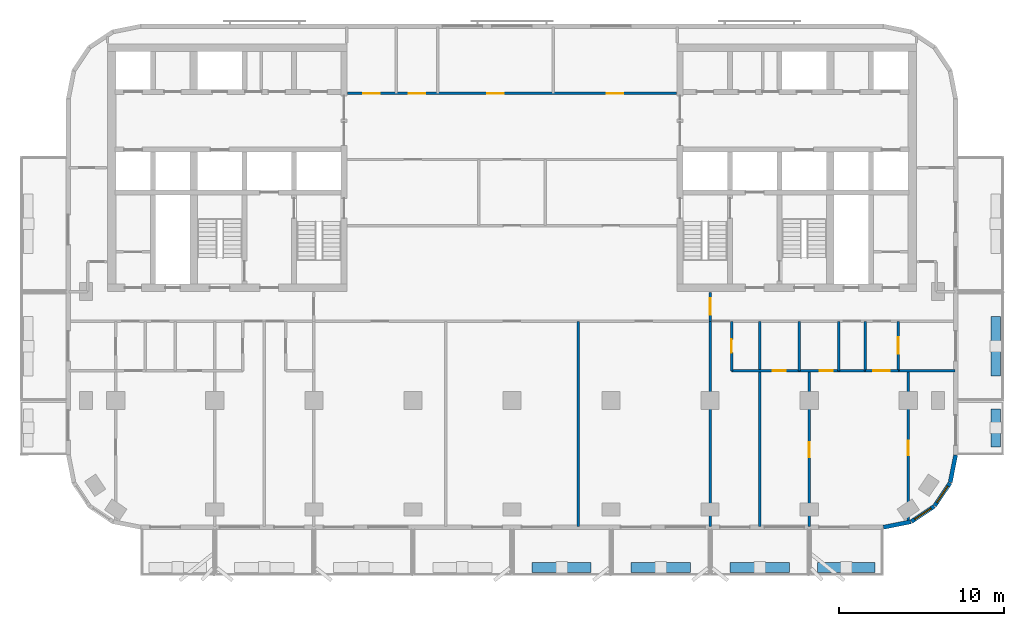
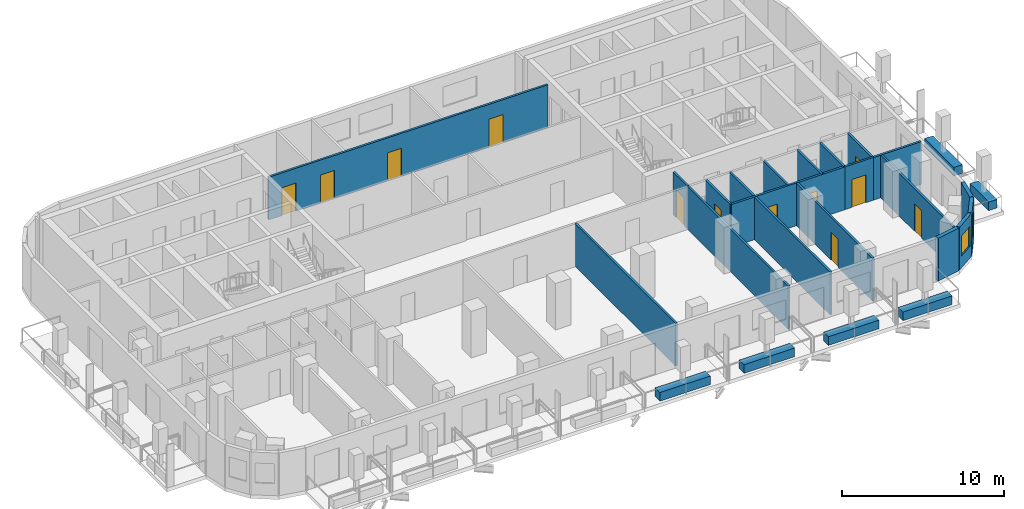
# One storey, part 5 of 11: 25 walls, 12 doors, 2 windows, 14 openings.
"""IFC4 building model written with IfcOpenShell, lengths in metres."""

import ifcopenshell
import ifcopenshell.guid

model = None  # the IFC model being written
_history = None  # IfcOwnerHistory: only IFC2X3 demands one
_inside = {}  # id of a spatial element -> (the spatial element, [elements in it])
_under = {}  # id of a project, library or spatial element -> (it, [spatial elements below it])
_declared = {}  # id of a project -> (the project, [libraries it declares])
_typed = {}  # id of a type object -> (the type object, [elements of that type])
_made_of = {}  # id of a material, layer set ... -> (it, [elements and type objects made of it])


def new_model(schema):
    """Start an empty IFC model of exactly this schema.

    Asked for "IFC4X3", IfcOpenShell would pick the latest addendum, in which some entities
    have other attributes; the version numbers below select the first issue.
    IFC2X3 requires an IfcOwnerHistory on every rooted entity: one is made here for all.
    """
    global model, _history
    if schema == "IFC4X3":
        model = ifcopenshell.file(schema_version=(4, 3, 0, 0))
    else:
        model = ifcopenshell.file(schema=schema)
    _inside.clear()
    _under.clear()
    _declared.clear()
    _typed.clear()
    _made_of.clear()
    _history = None
    if model.schema == "IFC2X3":
        org = make("IfcOrganization", Name="unknown")
        user = make(
            "IfcPersonAndOrganization",
            ThePerson=make("IfcPerson", FamilyName="unknown"),
            TheOrganization=org,
        )
        app = make(
            "IfcApplication",
            ApplicationDeveloper=org,
            Version="unknown",
            ApplicationFullName="unknown",
            ApplicationIdentifier="unknown",
        )
        _history = make(
            "IfcOwnerHistory",
            OwningUser=user,
            OwningApplication=app,
            ChangeAction="ADDED",
            CreationDate=0,
        )
    return model


def make(cls, **values):
    """One entity of the class cls with the attributes given. An attribute that is None is left unset."""
    return model.create_entity(
        cls, **{name: value for name, value in values.items() if value is not None}
    )


def rooted(cls, **values):
    """An entity with a GlobalId (a new one), such as an element, a storey or a relation."""
    return make(cls, GlobalId=ifcopenshell.guid.new(), OwnerHistory=_history, **values)


def si_unit(unit_type, name, prefix=None):
    """IfcSIUnit, for example si_unit("LENGTHUNIT", "METRE", prefix="MILLI")."""
    return make("IfcSIUnit", UnitType=unit_type, Prefix=prefix, Name=name)


def assignment(units):
    """IfcUnitAssignment: the units of a project."""
    return None if units is None else make("IfcUnitAssignment", Units=units)


def point(xyz):
    """IfcCartesianPoint."""
    return None if xyz is None else make("IfcCartesianPoint", Coordinates=xyz)


def direction(xyz):
    """IfcDirection."""
    return None if xyz is None else make("IfcDirection", DirectionRatios=xyz)


def frame(location, z_axis=None, x_axis=None):
    """IfcAxis2Placement3D, a coordinate frame: its origin and axes. An axis left out is left unset."""
    return make(
        "IfcAxis2Placement3D",
        Location=point(location),
        Axis=direction(z_axis),
        RefDirection=direction(x_axis),
    )


def frame_2d(location, x_axis=None):
    """IfcAxis2Placement2D, a coordinate frame in the plane: its origin and x axis."""
    return make(
        "IfcAxis2Placement2D", Location=point(location), RefDirection=direction(x_axis)
    )


def origin():
    """The frame at (0, 0, 0) with its axes left unset."""
    return frame((0.0, 0.0, 0.0))


def place(relative_to, where):
    """IfcLocalPlacement: puts the frame where relative to a parent placement (None: the world)."""
    return make(
        "IfcLocalPlacement", PlacementRelTo=relative_to, RelativePlacement=where
    )


def context(
    kind, dimensions, precision=None, world=None, true_north=None, identifier=None
):
    """IfcGeometricRepresentationContext, for example the 3D "Model" context."""
    return make(
        "IfcGeometricRepresentationContext",
        ContextIdentifier=identifier,
        ContextType=kind,
        CoordinateSpaceDimension=dimensions,
        Precision=precision,
        WorldCoordinateSystem=world,
        TrueNorth=true_north,
    )


def subcontext(parent, identifier, kind, view, scale=None):
    """IfcGeometricRepresentationSubContext, for example "Body" below "Model"."""
    return make(
        "IfcGeometricRepresentationSubContext",
        ContextIdentifier=identifier,
        ContextType=kind,
        ParentContext=parent,
        TargetScale=scale,
        TargetView=view,
    )


def project(units=None, contexts=None):
    """IfcProject with its units and contexts."""
    return rooted(
        "IfcProject",
        Name="project",
        RepresentationContexts=contexts,
        UnitsInContext=assignment(units),
    )


def spatial(cls, under=None, at=None, **own):
    """A site, building, storey or space (cls), placed at a placement, below another one or the project."""
    s = rooted(cls, ObjectPlacement=at, **own)
    if under is not None:
        _under.setdefault(under.id(), (under, []))[1].append(s)
    return s


def profile(cls, at=None, kind="AREA", **sizes):
    """A parametric profile (cls). Its sizes go by their IFC names, for example OverallWidth=200.0."""
    return make(cls, ProfileType=kind, Position=at, **sizes)


def rectangle(**sizes):
    """IfcRectangleProfileDef."""
    return profile("IfcRectangleProfileDef", **sizes)


def extrude(swept, where, along, depth):
    """IfcExtrudedAreaSolid: the profile swept, set in the frame where, extruded along a direction by depth."""
    return make(
        "IfcExtrudedAreaSolid",
        SweptArea=swept,
        Position=where,
        ExtrudedDirection=direction(along),
        Depth=depth,
    )


def shape(context_of_items, identifier, shape_type, items):
    """IfcShapeRepresentation: the items that make up one representation, for example the "Body"."""
    return make(
        "IfcShapeRepresentation",
        ContextOfItems=context_of_items,
        RepresentationIdentifier=identifier,
        RepresentationType=shape_type,
        Items=items,
    )


def material(Name=None, Category=None):
    """IfcMaterial."""
    return make("IfcMaterial", Name=Name, Category=Category)


def layer(
    of_material, thickness, ventilated=None, Name=None, Category=None, Priority=None
):
    """IfcMaterialLayer: one layer of a wall or slab, of a material (None: an air gap)."""
    return make(
        "IfcMaterialLayer",
        Material=of_material,
        LayerThickness=thickness,
        IsVentilated=ventilated,
        Name=Name,
        Category=Category,
        Priority=Priority,
    )


def layer_set(layers, Name=None):
    """IfcMaterialLayerSet."""
    return make("IfcMaterialLayerSet", MaterialLayers=layers, LayerSetName=Name)


def made_of(thing, what):
    """Note that an element or type object is made of a material, layer set ...; save() writes the relation."""
    if what is not None:
        _made_of.setdefault(what.id(), (what, []))[1].append(thing)
    return thing


def type_object(cls, material=None, **own):
    """A type object (cls), such as IfcWallType, which elements share."""
    return made_of(rooted(cls, **own), material)


def element(
    cls,
    number,
    at=None,
    inside=None,
    cuts=None,
    type_object=None,
    material=None,
    context=None,
    identifier="Body",
    shape_type=None,
    held_by="IfcProductDefinitionShape",
    body=None,
    shapes=None,
    **own,
):
    """One element of the class cls, such as IfcWall. Its Tag is "e" and its number.

    at: its placement. inside: the storey or other place that contains it. cuts: it is an
    opening in that element (IfcRelVoidsElement). A single representation is given by context,
    identifier, shape_type and body (its items); several are given by shapes. held_by: the class
    of the entity that holds the representations. save() writes the other relations.
    """
    e = rooted(cls, Tag="e%d" % number, ObjectPlacement=at, **own)
    if body is not None:
        shapes = [shape(context, identifier, shape_type, body)]
    if shapes is not None:
        e.Representation = make(held_by, Representations=shapes)
    if inside is not None:
        _inside.setdefault(inside.id(), (inside, []))[1].append(e)
    if cuts is not None:
        rooted(
            "IfcRelVoidsElement", RelatingBuildingElement=cuts, RelatedOpeningElement=e
        )
    if type_object is not None:
        _typed.setdefault(type_object.id(), (type_object, []))[1].append(e)
    return made_of(e, material)


def fill(opening, filler):
    """IfcRelFillsElement: the door or window that sits in an opening."""
    return rooted(
        "IfcRelFillsElement",
        RelatingOpeningElement=opening,
        RelatedBuildingElement=filler,
    )


def aggregate(whole, parts):
    """IfcRelAggregates: a whole, such as a stair, and the parts it consists of."""
    return rooted("IfcRelAggregates", RelatingObject=whole, RelatedObjects=parts)


def save(model, path):
    """Write the relations noted so far, then the file.

    IfcRelAggregates (storeys below a building ...), IfcRelContainedInSpatialStructure (elements
    in a storey), IfcRelDefinesByType, IfcRelAssociatesMaterial and IfcRelDeclares: one each for
    every whole, place, type object, material and project.
    """
    for whole, parts in _under.values():
        aggregate(whole, parts)
    for where, things in _inside.values():
        rooted(
            "IfcRelContainedInSpatialStructure",
            RelatedElements=things,
            RelatingStructure=where,
        )
    for kind, things in _typed.values():
        rooted("IfcRelDefinesByType", RelatedObjects=things, RelatingType=kind)
    for what, things in _made_of.values():
        rooted("IfcRelAssociatesMaterial", RelatedObjects=things, RelatingMaterial=what)
    for by, libraries in _declared.values():
        rooted("IfcRelDeclares", RelatingContext=by, RelatedDefinitions=libraries)
    model.write(path)


model = new_model("IFC4")

# Units and contexts
model_context = context("Model", 3, precision=1e-05, world=origin(), true_north=direction((0.0, 1.0)))
body_context = subcontext(model_context, "Body", "Model", "MODEL_VIEW")
ifc_project = project(units=[si_unit("LENGTHUNIT", "METRE"), si_unit("AREAUNIT", "SQUARE_METRE"), si_unit("VOLUMEUNIT", "CUBIC_METRE"), si_unit("PLANEANGLEUNIT", "RADIAN"), si_unit("MASSUNIT", "GRAM", prefix="KILO")], contexts=[model_context])

# Site, building, storey
site_placement = place(None, origin())
site = spatial("IfcSite", under=ifc_project, at=site_placement, CompositionType="ELEMENT")
building_placement = place(site_placement, origin())
building = spatial("IfcBuilding", under=site, at=building_placement, Name="Torana Hotel and Residences", CompositionType="ELEMENT")
storey_placement = place(building_placement, frame((0.0, 0.0, 183.60009765625)))
storey = spatial("IfcBuildingStorey", under=building, at=storey_placement, Name="L47", CompositionType="ELEMENT", Elevation=183.60009765625)

# Wall
ifc_material_1 = material(Name="Black aluminium composite panel", Category="aluminium")
ifc_layer_1 = layer(ifc_material_1, 0.00390625, Name="Cladding", Category="cladding")
ifc_material_2 = material(Name="Ventilated air cavity")
ifc_layer_2 = layer(ifc_material_2, 0.0400390625, Name="Ventilated cavity", Category="cavity")
ifc_material_3 = material(Name="Mineral wool insulation")
ifc_layer_3 = layer(ifc_material_3, 0.090087890625, Name="Insulation", Category="insulation")
ifc_material_4 = material(Name="Steel S280GD", Category="steel")
ifc_layer_4 = layer(ifc_material_4, 0.092041015625, Name="Steel stud frame", Category="structure")
ifc_material_5 = material(Name="Fire rated plasterboard")
ifc_layer_5 = layer(ifc_material_5, 0.011962890625, Name="Inner board", Category="finish")
ifc_layer_6 = layer(ifc_material_5, 0.011962890625, Name="Second board", Category="finish")
ifc_layer_set_1 = layer_set([ifc_layer_1, ifc_layer_2, ifc_layer_3, ifc_layer_4, ifc_layer_5, ifc_layer_6], Name="EW1 EXTERNAL WALL BLACK METAL CLAD 250")
wall_type_1 = type_object("IfcWallType", Name="EW1 EXTERNAL WALL BLACK METAL CLAD 250", PredefinedType="SOLIDWALL", material=ifc_layer_set_1)
wall_1_placement = place(storey_placement, frame((22.499755859375, -29.272705078125, 0.0), z_axis=(0.0, 0.0, 1.0), x_axis=(0.980775640221, 0.19513878023, 0.0)))
element("IfcWall", 1, at=wall_1_placement, inside=storey, type_object=wall_type_1, Name="External wall L47 e0.15", PredefinedType="SOLIDWALL", context=body_context, shape_type="SweptSolid", body=[
    extrude(rectangle(XDim=1.681396484375, YDim=0.25, at=frame_2d((0.8408203125, 0.0))), origin(), (0.0, 0.0, 1.0), 3.219970703125),
])

# Wall, opening, window
wall_2_placement = place(storey_placement, frame((24.194091796875, -28.92578125, 0.0), z_axis=(0.0, 0.0, 1.0), x_axis=(0.831482937015, 0.55555029066, 0.0)))
wall_2 = element("IfcWall", 2, at=wall_2_placement, inside=storey, type_object=wall_type_1, Name="External wall L47 e0.16", PredefinedType="SOLIDWALL", context=body_context, shape_type="SweptSolid", body=[
    extrude(rectangle(XDim=1.65625, YDim=0.25, at=frame_2d((0.828125, 0.0))), origin(), (0.0, 0.0, 1.0), 3.219970703125),
])
opening_1_placement = place(wall_2_placement, frame((0.228271484375, 0.0, 0.89990234375)))
opening_1 = element("IfcOpeningElement", 3, at=opening_1_placement, cuts=wall_2, Name="Opening W5", PredefinedType="OPENING", context=body_context, shape_type="SweptSolid", body=[
    extrude(rectangle(XDim=1.199951171875, YDim=1.5, at=frame_2d((0.60009765625, 0.75))), frame((0.0, 0.135009765625, 0.0), z_axis=(0.0, -1.0, 0.0), x_axis=(1.0, 0.0, 0.0)), (0.0, 0.0, 1.0), 0.27001953125),
])
ifc_material_6 = material(Name="Dark glass in black aluminium frame", Category="aluminium")
window_type = type_object("IfcWindowType", Name="W5 CORNER FACET WINDOW 1200x1500", PartitioningType="SINGLE_PANEL", PredefinedType="WINDOW", material=ifc_material_6)
window_1_placement = place(opening_1_placement, origin())
window_1 = element("IfcWindow", 4, at=window_1_placement, inside=storey, type_object=window_type, Name="Window L47 e0.16", OverallHeight=1.5, OverallWidth=1.199951171875, PartitioningType="SINGLE_PANEL", PredefinedType="WINDOW", context=body_context, shape_type="SweptSolid", body=[
    extrude(rectangle(XDim=1.199951171875, YDim=1.5, at=frame_2d((0.60009765625, 0.75))), frame((0.0, 0.030029296875, 0.0), z_axis=(0.0, -1.0, 0.0), x_axis=(1.0, 0.0, 0.0)), (0.0, 0.0, 1.0), 0.06005859375),
])
fill(opening_1, window_1)

wall_3_placement = place(storey_placement, frame((25.605712890625, -27.97119140625, 0.0), z_axis=(0.0, 0.0, 1.0), x_axis=(0.55555029066, 0.831482937015, 0.0)))
wall_3 = element("IfcWall", 5, at=wall_3_placement, inside=storey, type_object=wall_type_1, Name="External wall L47 e0.17", PredefinedType="SOLIDWALL", context=body_context, shape_type="SweptSolid", body=[
    extrude(rectangle(XDim=1.65625, YDim=0.25, at=frame_2d((0.828125, 0.0))), origin(), (0.0, 0.0, 1.0), 3.219970703125),
])
opening_2_placement = place(wall_3_placement, frame((0.228271484375, 0.0, 0.89990234375)))
opening_2 = element("IfcOpeningElement", 6, at=opening_2_placement, cuts=wall_3, Name="Opening W5", PredefinedType="OPENING", context=body_context, shape_type="SweptSolid", body=[
    extrude(rectangle(XDim=1.199951171875, YDim=1.5, at=frame_2d((0.60009765625, 0.75))), frame((0.0, 0.135009765625, 0.0), z_axis=(0.0, -1.0, 0.0), x_axis=(1.0, 0.0, 0.0)), (0.0, 0.0, 1.0), 0.27001953125),
])
window_2_placement = place(opening_2_placement, origin())
window_2 = element("IfcWindow", 7, at=window_2_placement, inside=storey, type_object=window_type, Name="Window L47 e0.17", OverallHeight=1.5, OverallWidth=1.199951171875, PartitioningType="SINGLE_PANEL", PredefinedType="WINDOW", context=body_context, shape_type="SweptSolid", body=[
    extrude(rectangle(XDim=1.199951171875, YDim=1.5, at=frame_2d((0.60009765625, 0.75))), frame((0.0, 0.030029296875, 0.0), z_axis=(0.0, -1.0, 0.0), x_axis=(1.0, 0.0, 0.0)), (0.0, 0.0, 1.0), 0.06005859375),
])
fill(opening_2, window_2)

# Wall
wall_4_placement = place(storey_placement, frame((26.544677734375, -26.548828125, 0.0), z_axis=(0.0, 0.0, 1.0), x_axis=(0.195026884138, 0.980797896849, 0.0)))
element("IfcWall", 8, at=wall_4_placement, inside=storey, type_object=wall_type_1, Name="External wall L47 e0.18", PredefinedType="SOLIDWALL", context=body_context, shape_type="SweptSolid", body=[
    extrude(rectangle(XDim=1.68115234375, YDim=0.25, at=frame_2d((0.840576171875, 0.0))), origin(), (0.0, 0.0, 1.0), 3.219970703125),
])

# Wall, opening, door
ifc_material_7 = material(Name="Gypsum plaster")
ifc_layer_7 = layer(ifc_material_7, 0.014892578125, Name="Plaster", Category="finish")
ifc_material_8 = material(Name="Concrete blockwork", Category="masonry")
ifc_layer_8 = layer(ifc_material_8, 0.1201171875, Name="Blockwork", Category="structure")
ifc_layer_9 = layer(ifc_material_7, 0.014892578125, Name="Plaster", Category="finish")
ifc_layer_set_2 = layer_set([ifc_layer_7, ifc_layer_8, ifc_layer_9], Name="FIRE PARTITION 150 BLOCKWORK")
wall_type_2 = type_object("IfcWallType", Name="FIRE PARTITION 150 BLOCKWORK", PredefinedType="PARTITIONING", material=ifc_layer_set_2)
wall_5_placement = place(storey_placement, frame((23.39990234375, -19.800048828125, 0.0), z_axis=(0.0, 0.0, 1.0), x_axis=(0.0, 1.0, 0.0)))
wall_5 = element("IfcWall", 9, at=wall_5_placement, inside=storey, type_object=wall_type_2, Name="Partition L47", PredefinedType="PARTITIONING", context=body_context, shape_type="SweptSolid", body=[
    extrude(rectangle(XDim=3.0, YDim=0.14990234375, at=frame_2d((1.5, 0.0))), origin(), (0.0, 0.0, 1.0), 3.219970703125),
])
opening_3_placement = place(wall_5_placement, frame((1.02001953125, 0.0, 0.0)))
opening_3 = element("IfcOpeningElement", 10, at=opening_3_placement, cuts=wall_5, Name="Opening L47-62", PredefinedType="OPENING", context=body_context, shape_type="SweptSolid", body=[
    extrude(rectangle(XDim=1.0, YDim=2.10009765625, at=frame_2d((0.5, 1.050048828125))), frame((0.0, 0.0849609375, 0.0), z_axis=(0.0, -1.0, 0.0), x_axis=(1.0, 0.0, 0.0)), (0.0, 0.0, 1.0), 0.169921875),
])
ifc_material_9 = material(Name="Steel S235", Category="steel")
door_type_1 = type_object("IfcDoorType", Name="ENTRY FIRE DOOR D6 1000x2100", OperationType="SINGLE_SWING_LEFT", PredefinedType="DOOR", material=ifc_material_9)
door_1_placement = place(opening_3_placement, frame((0.5, 0.0, 0.0), z_axis=(0.0, 0.0, 1.0), x_axis=(-1.0, 0.0, 0.0)))
door_1 = element("IfcDoor", 11, at=door_1_placement, inside=storey, type_object=door_type_1, Name="Door L47", OperationType="SINGLE_SWING_LEFT", OverallHeight=2.10009765625, OverallWidth=1.0, PredefinedType="DOOR", context=body_context, shape_type="SweptSolid", body=[
    extrude(rectangle(XDim=1.0, YDim=2.10009765625, at=frame_2d((0.0, 1.050048828125))), frame((0.0, -0.02490234375, 0.0), z_axis=(0.0, 1.0, 0.0), x_axis=(-1.0, 0.0, 0.0)), (0.0, 0.0, 1.0), 0.050048828125),
])
fill(opening_3, door_1)

# Wall
wall_6_placement = place(storey_placement, frame((21.39990234375, -19.800048828125, 0.0), z_axis=(0.0, 0.0, 1.0), x_axis=(0.0, 1.0, 0.0)))
element("IfcWall", 12, at=wall_6_placement, inside=storey, type_object=wall_type_2, Name="Partition L47", PredefinedType="PARTITIONING", context=body_context, shape_type="SweptSolid", body=[
    extrude(rectangle(XDim=3.0, YDim=0.14990234375, at=frame_2d((1.5, 0.0))), origin(), (0.0, 0.0, 1.0), 3.219970703125),
])

# Wall, opening, door
wall_7_placement = place(storey_placement, frame((12.0, -16.800048828125, 0.0), z_axis=(0.0, 0.0, 1.0), x_axis=(0.0, 1.0, 0.0)))
wall_7 = element("IfcWall", 13, at=wall_7_placement, inside=storey, type_object=wall_type_2, Name="Partition L47", PredefinedType="PARTITIONING", context=body_context, shape_type="SweptSolid", body=[
    extrude(rectangle(XDim=1.75, YDim=0.14990234375, at=frame_2d((0.875, 0.0))), origin(), (0.0, 0.0, 1.0), 3.219970703125),
])
opening_4_placement = place(wall_7_placement, frame((0.39990234375, 0.0, 0.0)))
opening_4 = element("IfcOpeningElement", 14, at=opening_4_placement, cuts=wall_7, Name="Opening L47-37", PredefinedType="OPENING", context=body_context, shape_type="SweptSolid", body=[
    extrude(rectangle(XDim=1.0, YDim=2.10009765625, at=frame_2d((0.5, 1.050048828125))), frame((0.0, 0.0849609375, 0.0), z_axis=(0.0, -1.0, 0.0), x_axis=(1.0, 0.0, 0.0)), (0.0, 0.0, 1.0), 0.169921875),
])
door_2_placement = place(opening_4_placement, origin())
door_2 = element("IfcDoor", 15, at=door_2_placement, inside=storey, type_object=door_type_1, Name="Door L47", OperationType="SINGLE_SWING_RIGHT", OverallHeight=2.10009765625, OverallWidth=1.0, PredefinedType="DOOR", context=body_context, shape_type="SweptSolid", body=[
    extrude(rectangle(XDim=1.0, YDim=2.10009765625, at=frame_2d((0.5, 1.050048828125))), frame((0.0, 0.02490234375, 0.0), z_axis=(0.0, -1.0, 0.0), x_axis=(1.0, 0.0, 0.0)), (0.0, 0.0, 1.0), 0.050048828125),
])
fill(opening_4, door_2)

wall_8_placement = place(storey_placement, frame((21.39990234375, -19.800048828125, 0.0), z_axis=(0.0, 0.0, 1.0), x_axis=(1.0, 0.0, 0.0)))
wall_8 = element("IfcWall", 16, at=wall_8_placement, inside=storey, type_object=wall_type_2, Name="Partition L47", PredefinedType="PARTITIONING", context=body_context, shape_type="SweptSolid", body=[
    extrude(rectangle(XDim=2.0, YDim=0.14990234375, at=frame_2d((1.0, 0.0))), origin(), (0.0, 0.0, 1.0), 3.219970703125),
])
opening_5_placement = place(wall_8_placement, frame((0.47998046875, 0.0, 0.0)))
opening_5 = element("IfcOpeningElement", 17, at=opening_5_placement, cuts=wall_8, Name="Opening L47-63", PredefinedType="OPENING", context=body_context, shape_type="SweptSolid", body=[
    extrude(rectangle(XDim=1.0, YDim=2.10009765625, at=frame_2d((0.5, 1.050048828125))), frame((0.0, 0.0849609375, 0.0), z_axis=(0.0, -1.0, 0.0), x_axis=(1.0, 0.0, 0.0)), (0.0, 0.0, 1.0), 0.169921875),
])
door_3_placement = place(opening_5_placement, frame((0.5, 0.0, 0.0), z_axis=(0.0, 0.0, 1.0), x_axis=(-1.0, 0.0, 0.0)))
door_3 = element("IfcDoor", 18, at=door_3_placement, inside=storey, type_object=door_type_1, Name="Door L47", OperationType="SINGLE_SWING_RIGHT", OverallHeight=2.10009765625, OverallWidth=1.0, PredefinedType="DOOR", context=body_context, shape_type="SweptSolid", body=[
    extrude(rectangle(XDim=1.0, YDim=2.10009765625, at=frame_2d((0.0, 1.050048828125))), frame((0.0, -0.02490234375, 0.0), z_axis=(0.0, 1.0, 0.0), x_axis=(-1.0, 0.0, 0.0)), (0.0, 0.0, 1.0), 0.050048828125),
])
fill(opening_5, door_3)

# Wall, openings, doors
wall_9_placement = place(storey_placement, frame((-9.949951171875, -3.0, 0.0), z_axis=(0.0, 0.0, 1.0), x_axis=(1.0, 0.0, 0.0)))
wall_9 = element("IfcWall", 19, at=wall_9_placement, inside=storey, type_object=wall_type_2, Name="Partition L47", PredefinedType="PARTITIONING", context=body_context, shape_type="SweptSolid", body=[
    extrude(rectangle(XDim=19.89990234375, YDim=0.14990234375, at=frame_2d((9.949951171875, 0.0))), origin(), (0.0, 0.0, 1.0), 3.219970703125),
])
opening_6_placement = place(wall_9_placement, frame((0.949951171875, 0.0, 0.0)))
opening_6 = element("IfcOpeningElement", 20, at=opening_6_placement, cuts=wall_9, Name="Opening L47-49", PredefinedType="OPENING", context=body_context, shape_type="SweptSolid", body=[
    extrude(rectangle(XDim=1.0, YDim=2.10009765625, at=frame_2d((0.5, 1.050048828125))), frame((0.0, 0.0849609375, 0.0), z_axis=(0.0, -1.0, 0.0), x_axis=(1.0, 0.0, 0.0)), (0.0, 0.0, 1.0), 0.169921875),
])
opening_7_placement = place(wall_9_placement, frame((3.699951171875, 0.0, 0.0)))
opening_7 = element("IfcOpeningElement", 21, at=opening_7_placement, cuts=wall_9, Name="Opening L47-50", PredefinedType="OPENING", context=body_context, shape_type="SweptSolid", body=[
    extrude(rectangle(XDim=1.0, YDim=2.10009765625, at=frame_2d((0.5, 1.050048828125))), frame((0.0, 0.0849609375, 0.0), z_axis=(0.0, -1.0, 0.0), x_axis=(1.0, 0.0, 0.0)), (0.0, 0.0, 1.0), 0.169921875),
])
opening_8_placement = place(wall_9_placement, frame((8.449951171875, 0.0, 0.0)))
opening_8 = element("IfcOpeningElement", 22, at=opening_8_placement, cuts=wall_9, Name="Opening L47-51", PredefinedType="OPENING", context=body_context, shape_type="SweptSolid", body=[
    extrude(rectangle(XDim=1.0, YDim=2.10009765625, at=frame_2d((0.5, 1.050048828125))), frame((0.0, 0.0849609375, 0.0), z_axis=(0.0, -1.0, 0.0), x_axis=(1.0, 0.0, 0.0)), (0.0, 0.0, 1.0), 0.169921875),
])
opening_9_placement = place(wall_9_placement, frame((15.699951171875, 0.0, 0.0)))
opening_9 = element("IfcOpeningElement", 23, at=opening_9_placement, cuts=wall_9, Name="Opening L47-52", PredefinedType="OPENING", context=body_context, shape_type="SweptSolid", body=[
    extrude(rectangle(XDim=1.0, YDim=2.10009765625, at=frame_2d((0.5, 1.050048828125))), frame((0.0, 0.0849609375, 0.0), z_axis=(0.0, -1.0, 0.0), x_axis=(1.0, 0.0, 0.0)), (0.0, 0.0, 1.0), 0.169921875),
])
door_4_placement = place(opening_6_placement, origin())
door_4 = element("IfcDoor", 24, at=door_4_placement, inside=storey, type_object=door_type_1, Name="Door L47", OperationType="SINGLE_SWING_RIGHT", OverallHeight=2.10009765625, OverallWidth=1.0, PredefinedType="DOOR", context=body_context, shape_type="SweptSolid", body=[
    extrude(rectangle(XDim=1.0, YDim=2.10009765625, at=frame_2d((0.5, 1.050048828125))), frame((0.0, 0.02490234375, 0.0), z_axis=(0.0, -1.0, 0.0), x_axis=(1.0, 0.0, 0.0)), (0.0, 0.0, 1.0), 0.050048828125),
])
fill(opening_6, door_4)
door_5_placement = place(opening_7_placement, origin())
door_5 = element("IfcDoor", 25, at=door_5_placement, inside=storey, type_object=door_type_1, Name="Door L47", OperationType="SINGLE_SWING_RIGHT", OverallHeight=2.10009765625, OverallWidth=1.0, PredefinedType="DOOR", context=body_context, shape_type="SweptSolid", body=[
    extrude(rectangle(XDim=1.0, YDim=2.10009765625, at=frame_2d((0.5, 1.050048828125))), frame((0.0, 0.02490234375, 0.0), z_axis=(0.0, -1.0, 0.0), x_axis=(1.0, 0.0, 0.0)), (0.0, 0.0, 1.0), 0.050048828125),
])
fill(opening_7, door_5)
door_6_placement = place(opening_8_placement, origin())
door_6 = element("IfcDoor", 26, at=door_6_placement, inside=storey, type_object=door_type_1, Name="Door L47", OperationType="SINGLE_SWING_RIGHT", OverallHeight=2.10009765625, OverallWidth=1.0, PredefinedType="DOOR", context=body_context, shape_type="SweptSolid", body=[
    extrude(rectangle(XDim=1.0, YDim=2.10009765625, at=frame_2d((0.5, 1.050048828125))), frame((0.0, 0.02490234375, 0.0), z_axis=(0.0, -1.0, 0.0), x_axis=(1.0, 0.0, 0.0)), (0.0, 0.0, 1.0), 0.050048828125),
])
fill(opening_8, door_6)
door_7_placement = place(opening_9_placement, origin())
door_7 = element("IfcDoor", 27, at=door_7_placement, inside=storey, type_object=door_type_1, Name="Door L47", OperationType="SINGLE_SWING_RIGHT", OverallHeight=2.10009765625, OverallWidth=1.0, PredefinedType="DOOR", context=body_context, shape_type="SweptSolid", body=[
    extrude(rectangle(XDim=1.0, YDim=2.10009765625, at=frame_2d((0.5, 1.050048828125))), frame((0.0, 0.02490234375, 0.0), z_axis=(0.0, -1.0, 0.0), x_axis=(1.0, 0.0, 0.0)), (0.0, 0.0, 1.0), 0.050048828125),
])
fill(opening_9, door_7)

# Wall, opening, door
ifc_material_10 = material(Name="Gypsum plasterboard")
ifc_layer_10 = layer(ifc_material_10, 0.012451171875, Name="Plasterboard", Category="finish")
ifc_layer_11 = layer(ifc_material_10, 0.012451171875, Name="Plasterboard", Category="finish")
ifc_layer_12 = layer(ifc_material_4, 0.10009765625, Name="Steel studs with mineral wool", Category="insulation")
ifc_layer_13 = layer(ifc_material_10, 0.012451171875, Name="Plasterboard", Category="finish")
ifc_layer_14 = layer(ifc_material_10, 0.012451171875, Name="Plasterboard", Category="finish")
ifc_layer_set_3 = layer_set([ifc_layer_10, ifc_layer_11, ifc_layer_12, ifc_layer_13, ifc_layer_14], Name="PARTITION 150 PLASTERBOARD")
wall_type_3 = type_object("IfcWallType", Name="PARTITION 150 PLASTERBOARD", PredefinedType="PARTITIONING", material=ifc_layer_set_3)
wall_10_placement = place(storey_placement, frame((24.0, -28.918212890625, 0.0), z_axis=(0.0, 0.0, 1.0), x_axis=(0.0, 1.0, 0.0)))
wall_10 = element("IfcWall", 28, at=wall_10_placement, inside=storey, type_object=wall_type_3, Name="Partition L47", PredefinedType="PARTITIONING", context=body_context, shape_type="SweptSolid", body=[
    extrude(rectangle(XDim=9.1181640625, YDim=0.14990234375, at=frame_2d((4.55908203125, 0.0))), origin(), (0.0, 0.0, 1.0), 3.219970703125),
])
opening_10_placement = place(wall_10_placement, frame((3.998046875, 0.0, 0.0)))
opening_10 = element("IfcOpeningElement", 29, at=opening_10_placement, cuts=wall_10, Name="Opening L47-65", PredefinedType="OPENING", context=body_context, shape_type="SweptSolid", body=[
    extrude(rectangle(XDim=0.89990234375, YDim=2.10009765625, at=frame_2d((0.449951171875, 1.050048828125))), frame((0.0, 0.0849609375, 0.0), z_axis=(0.0, -1.0, 0.0), x_axis=(1.0, 0.0, 0.0)), (0.0, 0.0, 1.0), 0.169921875),
])
ifc_material_11 = material(Name="Timber door, oiled ash", Category="wood")
door_type_2 = type_object("IfcDoorType", Name="ROOM DOOR D7 900x2100", OperationType="SINGLE_SWING_LEFT", PredefinedType="DOOR", material=ifc_material_11)
door_8_placement = place(opening_10_placement, origin())
door_8 = element("IfcDoor", 30, at=door_8_placement, inside=storey, type_object=door_type_2, Name="Door L47", OperationType="SINGLE_SWING_RIGHT", OverallHeight=2.10009765625, OverallWidth=0.89990234375, PredefinedType="DOOR", context=body_context, shape_type="SweptSolid", body=[
    extrude(rectangle(XDim=0.89990234375, YDim=2.10009765625, at=frame_2d((0.449951171875, 1.050048828125))), frame((0.0, 0.02490234375, 0.0), z_axis=(0.0, -1.0, 0.0), x_axis=(1.0, 0.0, 0.0)), (0.0, 0.0, 1.0), 0.050048828125),
])
fill(opening_10, door_8)

# Wall
wall_11_placement = place(storey_placement, frame((19.800048828125, -19.800048828125, 0.0), z_axis=(0.0, 0.0, 1.0), x_axis=(0.0, 1.0, 0.0)))
element("IfcWall", 31, at=wall_11_placement, inside=storey, type_object=wall_type_3, Name="Partition L47", PredefinedType="PARTITIONING", context=body_context, shape_type="SweptSolid", body=[
    extrude(rectangle(XDim=3.0, YDim=0.14990234375, at=frame_2d((1.5, 0.0))), origin(), (0.0, 0.0, 1.0), 3.219970703125),
])

# Wall, opening, door
wall_12_placement = place(storey_placement, frame((18.0, -29.219970703125, 0.0), z_axis=(0.0, 0.0, 1.0), x_axis=(0.0, 1.0, 0.0)))
wall_12 = element("IfcWall", 32, at=wall_12_placement, inside=storey, type_object=wall_type_3, Name="Partition L47", PredefinedType="PARTITIONING", context=body_context, shape_type="SweptSolid", body=[
    extrude(rectangle(XDim=9.419921875, YDim=0.14990234375, at=frame_2d((4.7099609375, 0.0))), origin(), (0.0, 0.0, 1.0), 3.219970703125),
])
opening_11_placement = place(wall_12_placement, frame((4.18994140625, 0.0, 0.0)))
opening_11 = element("IfcOpeningElement", 33, at=opening_11_placement, cuts=wall_12, Name="Opening L47-64", PredefinedType="OPENING", context=body_context, shape_type="SweptSolid", body=[
    extrude(rectangle(XDim=0.89990234375, YDim=2.10009765625, at=frame_2d((0.449951171875, 1.050048828125))), frame((0.0, 0.0849609375, 0.0), z_axis=(0.0, -1.0, 0.0), x_axis=(1.0, 0.0, 0.0)), (0.0, 0.0, 1.0), 0.169921875),
])
door_9_placement = place(opening_11_placement, origin())
door_9 = element("IfcDoor", 34, at=door_9_placement, inside=storey, type_object=door_type_2, Name="Door L47", OperationType="SINGLE_SWING_RIGHT", OverallHeight=2.10009765625, OverallWidth=0.89990234375, PredefinedType="DOOR", context=body_context, shape_type="SweptSolid", body=[
    extrude(rectangle(XDim=0.89990234375, YDim=2.10009765625, at=frame_2d((0.449951171875, 1.050048828125))), frame((0.0, 0.02490234375, 0.0), z_axis=(0.0, -1.0, 0.0), x_axis=(1.0, 0.0, 0.0)), (0.0, 0.0, 1.0), 0.050048828125),
])
fill(opening_11, door_9)

# Walls
wall_13_placement = place(storey_placement, frame((17.39990234375, -19.800048828125, 0.0), z_axis=(0.0, 0.0, 1.0), x_axis=(0.0, 1.0, 0.0)))
element("IfcWall", 35, at=wall_13_placement, inside=storey, type_object=wall_type_3, Name="Partition L47", PredefinedType="PARTITIONING", context=body_context, shape_type="SweptSolid", body=[
    extrude(rectangle(XDim=3.0, YDim=0.14990234375, at=frame_2d((1.5, 0.0))), origin(), (0.0, 0.0, 1.0), 3.219970703125),
])
wall_14_placement = place(storey_placement, frame((15.0, -29.219970703125, 0.0), z_axis=(0.0, 0.0, 1.0), x_axis=(0.0, 1.0, 0.0)))
element("IfcWall", 36, at=wall_14_placement, inside=storey, type_object=wall_type_3, Name="Partition L47", PredefinedType="PARTITIONING", context=body_context, shape_type="SweptSolid", body=[
    extrude(rectangle(XDim=12.419921875, YDim=0.14990234375, at=frame_2d((6.2099609375, 0.0))), origin(), (0.0, 0.0, 1.0), 3.219970703125),
])

# Wall, opening, door
wall_15_placement = place(storey_placement, frame((13.300048828125, -19.800048828125, 0.0), z_axis=(0.0, 0.0, 1.0), x_axis=(0.0, 1.0, 0.0)))
wall_15 = element("IfcWall", 37, at=wall_15_placement, inside=storey, type_object=wall_type_3, Name="Partition L47", PredefinedType="PARTITIONING", context=body_context, shape_type="SweptSolid", body=[
    extrude(rectangle(XDim=3.0, YDim=0.14990234375, at=frame_2d((1.5, 0.0))), origin(), (0.0, 0.0, 1.0), 3.219970703125),
])
opening_12_placement = place(wall_15_placement, frame((1.10009765625, 0.0, 0.0)))
opening_12 = element("IfcOpeningElement", 38, at=opening_12_placement, cuts=wall_15, Name="Opening L47-55", PredefinedType="OPENING", context=body_context, shape_type="SweptSolid", body=[
    extrude(rectangle(XDim=0.800048828125, YDim=2.10009765625, at=frame_2d((0.39990234375, 1.050048828125))), frame((0.0, 0.0849609375, 0.0), z_axis=(0.0, -1.0, 0.0), x_axis=(1.0, 0.0, 0.0)), (0.0, 0.0, 1.0), 0.169921875),
])
ifc_material_12 = material(Name="Timber door, painted", Category="wood")
door_type_3 = type_object("IfcDoorType", Name="BATH DOOR D13 800x2100", OperationType="SINGLE_SWING_LEFT", PredefinedType="DOOR", material=ifc_material_12)
door_10_placement = place(opening_12_placement, origin())
door_10 = element("IfcDoor", 39, at=door_10_placement, inside=storey, type_object=door_type_3, Name="Door L47", OperationType="SINGLE_SWING_LEFT", OverallHeight=2.10009765625, OverallWidth=0.800048828125, PredefinedType="DOOR", context=body_context, shape_type="SweptSolid", body=[
    extrude(rectangle(XDim=0.800048828125, YDim=2.10009765625, at=frame_2d((0.39990234375, 1.050048828125))), frame((0.0, 0.02490234375, 0.0), z_axis=(0.0, -1.0, 0.0), x_axis=(1.0, 0.0, 0.0)), (0.0, 0.0, 1.0), 0.050048828125),
])
fill(opening_12, door_10)

# Walls
for number, where, z_axis, x_axis, name in (
    (40, (12.0, -29.219970703125, 0.0), (0.0, 0.0, 1.0), (0.0, 1.0, 0.0), "Partition L47"),
    (41, (4.0, -29.219970703125, 0.0), (0.0, 0.0, 1.0), (0.0, 1.0, 0.0), "Partition L47"),
):
    element("IfcWall", number, at=place(storey_placement, frame(where, z_axis=z_axis, x_axis=x_axis)), inside=storey, type_object=wall_type_3, Name=name, PredefinedType="PARTITIONING", context=body_context, shape_type="SweptSolid", body=[
        extrude(rectangle(XDim=12.419921875, YDim=0.14990234375, at=frame_2d((6.2099609375, 0.0))), origin(), (0.0, 0.0, 1.0), 3.219970703125),
    ])

# Wall, openings, doors
wall_16_placement = place(storey_placement, frame((13.300048828125, -19.800048828125, 0.0), z_axis=(0.0, 0.0, 1.0), x_axis=(1.0, 0.0, 0.0)))
wall_16 = element("IfcWall", 42, at=wall_16_placement, inside=storey, type_object=wall_type_3, Name="Partition L47", PredefinedType="PARTITIONING", context=body_context, shape_type="SweptSolid", body=[
    extrude(rectangle(XDim=8.099853515625, YDim=0.14990234375, at=frame_2d((4.0498046875, 0.0))), origin(), (0.0, 0.0, 1.0), 3.219970703125),
])
opening_13_placement = place(wall_16_placement, frame((2.47998046875, 0.0, 0.0)))
opening_13 = element("IfcOpeningElement", 43, at=opening_13_placement, cuts=wall_16, Name="Opening L47-60", PredefinedType="OPENING", context=body_context, shape_type="SweptSolid", body=[
    extrude(rectangle(XDim=0.800048828125, YDim=2.10009765625, at=frame_2d((0.39990234375, 1.050048828125))), frame((0.0, 0.0849609375, 0.0), z_axis=(0.0, -1.0, 0.0), x_axis=(1.0, 0.0, 0.0)), (0.0, 0.0, 1.0), 0.169921875),
])
opening_14_placement = place(wall_16_placement, frame((5.330078125, 0.0, 0.0)))
opening_14 = element("IfcOpeningElement", 44, at=opening_14_placement, cuts=wall_16, Name="Opening L47-61", PredefinedType="OPENING", context=body_context, shape_type="SweptSolid", body=[
    extrude(rectangle(XDim=0.800048828125, YDim=2.10009765625, at=frame_2d((0.39990234375, 1.050048828125))), frame((0.0, 0.0849609375, 0.0), z_axis=(0.0, -1.0, 0.0), x_axis=(1.0, 0.0, 0.0)), (0.0, 0.0, 1.0), 0.169921875),
])
door_11_placement = place(opening_13_placement, origin())
door_11 = element("IfcDoor", 45, at=door_11_placement, inside=storey, type_object=door_type_3, Name="Door L47", OperationType="SINGLE_SWING_RIGHT", OverallHeight=2.10009765625, OverallWidth=0.800048828125, PredefinedType="DOOR", context=body_context, shape_type="SweptSolid", body=[
    extrude(rectangle(XDim=0.800048828125, YDim=2.10009765625, at=frame_2d((0.39990234375, 1.050048828125))), frame((0.0, 0.02490234375, 0.0), z_axis=(0.0, -1.0, 0.0), x_axis=(1.0, 0.0, 0.0)), (0.0, 0.0, 1.0), 0.050048828125),
])
fill(opening_13, door_11)
door_12_placement = place(opening_14_placement, origin())
door_12 = element("IfcDoor", 46, at=door_12_placement, inside=storey, type_object=door_type_3, Name="Door L47", OperationType="SINGLE_SWING_LEFT", OverallHeight=2.10009765625, OverallWidth=0.800048828125, PredefinedType="DOOR", context=body_context, shape_type="SweptSolid", body=[
    extrude(rectangle(XDim=0.800048828125, YDim=2.10009765625, at=frame_2d((0.39990234375, 1.050048828125))), frame((0.0, 0.02490234375, 0.0), z_axis=(0.0, -1.0, 0.0), x_axis=(1.0, 0.0, 0.0)), (0.0, 0.0, 1.0), 0.050048828125),
])
fill(opening_14, door_12)

# Walls
wall_17_placement = place(storey_placement, frame((23.39990234375, -19.800048828125, 0.0), z_axis=(0.0, 0.0, 1.0), x_axis=(1.0, 0.0, 0.0)))
element("IfcWall", 47, at=wall_17_placement, inside=storey, type_object=wall_type_3, Name="Partition L47", PredefinedType="PARTITIONING", context=body_context, shape_type="SweptSolid", body=[
    extrude(rectangle(XDim=3.420166015625, YDim=0.14990234375, at=frame_2d((1.7099609375, 0.0))), origin(), (0.0, 0.0, 1.0), 3.219970703125),
])
ifc_material_13 = material(Name="Concrete C40/50 precast", Category="concrete")
ifc_layer_15 = layer(ifc_material_13, 0.10009765625, Name="Planter shell", Category="structure")
ifc_material_14 = material(Name="Root resistant membrane")
ifc_layer_16 = layer(ifc_material_14, 0.00390625, Name="Waterproofing membrane", Category="membrane")
ifc_material_15 = material(Name="Drainage board with filter fleece")
ifc_layer_17 = layer(ifc_material_15, 0.02001953125, Name="Drainage board", Category="drainage")
ifc_material_16 = material(Name="Growing medium")
ifc_layer_18 = layer(ifc_material_16, 0.47607421875, Name="Planting substrate", Category="soil")
ifc_layer_set_4 = layer_set([ifc_layer_15, ifc_layer_16, ifc_layer_17, ifc_layer_18], Name="PL1 BALCONY PLANTER 600")
wall_type_4 = type_object("IfcWallType", Name="PL1 BALCONY PLANTER 600", PredefinedType="USERDEFINED", material=ifc_layer_set_4)
for number, where, z_axis, x_axis, name in (
    (48, (4.800048828125, -31.699951171875, 0.0), (0.0, 0.0, 1.0), (-1.0, 0.0, 0.0), "Planter 05"),
    (49, (10.800048828125, -31.699951171875, 0.0), (0.0, 0.0, 1.0), (-1.0, 0.0, 0.0), "Planter 06"),
    (50, (16.800048828125, -31.699951171875, 0.0), (0.0, 0.0, 1.0), (-1.0, 0.0, 0.0), "Planter 07"),
):
    element("IfcWall", number, at=place(storey_placement, frame(where, z_axis=z_axis, x_axis=x_axis)), inside=storey, type_object=wall_type_4, Name=name, ObjectType="PLANTER", PredefinedType="USERDEFINED", context=body_context, shape_type="SweptSolid", body=[
        extrude(rectangle(XDim=3.60009765625, YDim=0.60009765625, at=frame_2d((1.800048828125, 0.0))), origin(), (0.0, 0.0, 1.0), 0.64990234375),
    ])
wall_18_placement = place(storey_placement, frame((22.0, -31.699951171875, 0.0), z_axis=(0.0, 0.0, 1.0), x_axis=(-1.0, 0.0, 0.0)))
element("IfcWall", 51, at=wall_18_placement, inside=storey, type_object=wall_type_4, Name="Planter 08", ObjectType="PLANTER", PredefinedType="USERDEFINED", context=body_context, shape_type="SweptSolid", body=[
    extrude(rectangle(XDim=3.5, YDim=0.60009765625, at=frame_2d((1.75, 0.0))), origin(), (0.0, 0.0, 1.0), 0.64990234375),
])
wall_19_placement = place(storey_placement, frame((29.300048828125, -22.10009765625, 0.0), z_axis=(0.0, 0.0, 1.0), x_axis=(0.0, -1.0, 0.0)))
element("IfcWall", 52, at=wall_19_placement, inside=storey, type_object=wall_type_4, Name="Planter 12", ObjectType="PLANTER", PredefinedType="USERDEFINED", context=body_context, shape_type="SweptSolid", body=[
    extrude(rectangle(XDim=2.2998046875, YDim=0.60009765625, at=frame_2d((1.14990234375, 0.0))), origin(), (0.0, 0.0, 1.0), 0.64990234375),
])
wall_20_placement = place(storey_placement, frame((29.300048828125, -16.5, 0.0), z_axis=(0.0, 0.0, 1.0), x_axis=(0.0, -1.0, 0.0)))
element("IfcWall", 53, at=wall_20_placement, inside=storey, type_object=wall_type_4, Name="Planter 13", ObjectType="PLANTER", PredefinedType="USERDEFINED", context=body_context, shape_type="SweptSolid", body=[
    extrude(rectangle(XDim=3.60009765625, YDim=0.60009765625, at=frame_2d((1.800048828125, 0.0))), origin(), (0.0, 0.0, 1.0), 0.64990234375),
])

save(model, "model.ifc")
